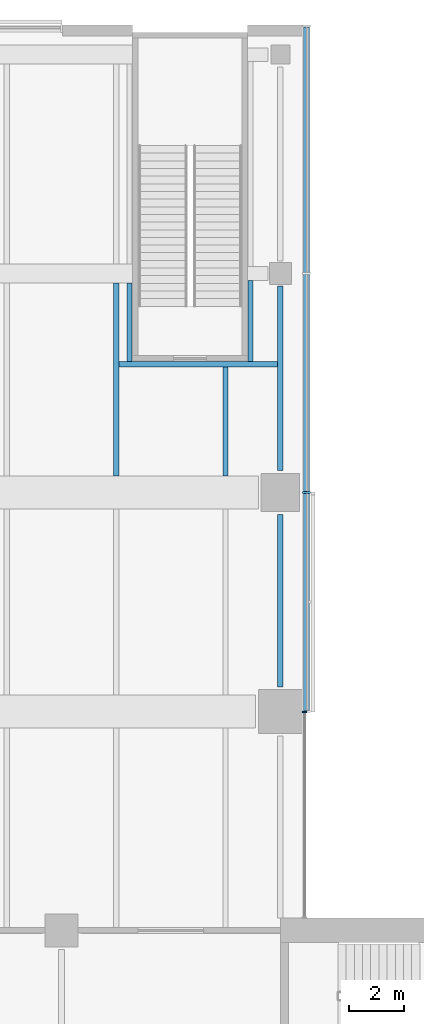
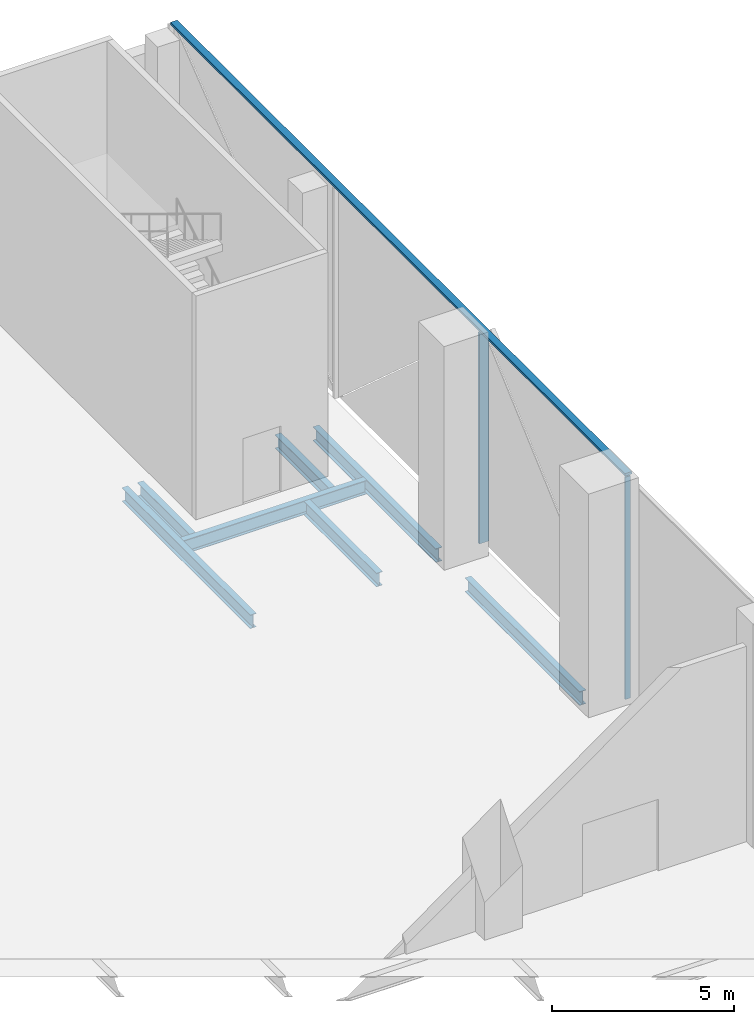
# One storey, part 10 of 25: 7 beams, 3 members, 2 elements without a shape of their own.
"""IFC4 building model written with IfcOpenShell, lengths in metres."""

from ifc_helpers import new_model, si_unit, direction, frame, origin, origin_2d, place, context, subcontext, project, spatial, rectangle, i_section, extrude, material, material_profile, profile_set, type_object, element, aggregate, save


model = new_model("IFC4")

# Units and contexts
model_context = context("Model", 3, precision=1e-05, world=origin(), true_north=direction((0.0, 1.0)))
body_context = subcontext(model_context, "Body", "Model", "MODEL_VIEW")
ifc_project = project(units=[si_unit("LENGTHUNIT", "METRE"), si_unit("AREAUNIT", "SQUARE_METRE"), si_unit("VOLUMEUNIT", "CUBIC_METRE"), si_unit("PLANEANGLEUNIT", "RADIAN"), si_unit("MASSUNIT", "GRAM", prefix="KILO")], contexts=[model_context])

# Site, building, storey
site_placement = place(None, origin())
site = spatial("IfcSite", under=ifc_project, at=site_placement, CompositionType="ELEMENT")
building_placement = place(site_placement, origin())
building = spatial("IfcBuilding", under=site, at=building_placement, Name="Crosswind Convention Tower", CompositionType="ELEMENT")
storey_placement = place(building_placement, frame((0.0, 0.0, 10.0)))
storey = spatial("IfcBuildingStorey", under=building, at=storey_placement, Name="L01", CompositionType="ELEMENT", Elevation=10.0)

# Beams
ifc_material_1 = material(Name="Steel S355", Category="steel")
ifc_material_profile_1 = material_profile(ifc_material_1, i_section(OverallWidth=0.19287109375, OverallDepth=0.467529296875, WebThickness=0.011474609375, FlangeThickness=0.01953125, FilletRadius=0.01025390625, at=origin_2d()), Name="UB 457x191x98")
ifc_profile_set_1 = profile_set([ifc_material_profile_1], Name="Steel S355")
beam_type_1 = type_object("IfcBeamType", Name="Edge beam UB 457x191x98", PredefinedType="SPANDREL", material=ifc_profile_set_1)
beam_1_placement = place(storey_placement, frame((137.0, 120.89990234375, -0.6337890625), z_axis=(0.0, 1.0, 0.0), x_axis=(-1.0, 0.0, 0.0)))
element("IfcBeam", 1, at=beam_1_placement, inside=storey, type_object=beam_type_1, Name="B20 L01 edge beam 18", PredefinedType="SPANDREL", context=body_context, shape_type="SweptSolid", body=[
    extrude(i_section(OverallWidth=0.19287109375, OverallDepth=0.467529296875, WebThickness=0.011474609375, FlangeThickness=0.01953125, FilletRadius=0.01025390625, at=origin_2d()), origin(), (0.0, 0.0, 1.0), 6.300048828125),
])
beam_2_placement = place(storey_placement, frame((137.0, 128.800048828125, -0.6337890625), z_axis=(0.0, 1.0, 0.0), x_axis=(-1.0, 0.0, 0.0)))
element("IfcBeam", 2, at=beam_2_placement, inside=storey, type_object=beam_type_1, Name="B20 L01 edge beam 19", PredefinedType="SPANDREL", context=body_context, shape_type="SweptSolid", body=[
    extrude(i_section(OverallWidth=0.19287109375, OverallDepth=0.467529296875, WebThickness=0.011474609375, FlangeThickness=0.01953125, FilletRadius=0.01025390625, at=origin_2d()), origin(), (0.0, 0.0, 1.0), 6.75),
])

# Curtain wall, member
ifc_material_2 = material(Name="Aluminium unitised curtain wall", Category="aluminium")
curtain_wall_type_1 = type_object("IfcCurtainWallType", Name="CORE END SLOT WALL 160", PredefinedType="USERDEFINED", material=ifc_material_2)
curtain_wall_1_placement = place(storey_placement, origin())
curtain_wall_1 = element("IfcCurtainWall", 3, at=curtain_wall_1_placement, inside=storey, type_object=curtain_wall_type_1, Name="CW6 L01 N-E.1-1 slot", ObjectType="UNITISED", PredefinedType="USERDEFINED")
ifc_material_3 = material(Name="Aluminium mullion", Category="aluminium")
ifc_material_profile_2 = material_profile(ifc_material_3, rectangle(XDim=0.159912109375, YDim=0.050048828125, at=origin_2d()), Name="AL 160X50")
ifc_profile_set_2 = profile_set([ifc_material_profile_2], Name="Aluminium mullion")
member_type_1 = type_object("IfcMemberType", Name="MULLION 50X160", PredefinedType="MULLION", material=ifc_profile_set_2)
member_1_placement = place(storey_placement, frame((137.8798828125, 119.97509765625, -0.39990234375), z_axis=(0.0, 0.0, 1.0), x_axis=(1.0, 0.0, 0.0)))
member_1 = element("IfcMember", 4, at=member_1_placement, type_object=member_type_1, Name="CW6 mullion 2", PredefinedType="MULLION", context=body_context, shape_type="SweptSolid", body=[
    extrude(rectangle(XDim=0.159912109375, YDim=0.050048828125, at=origin_2d()), origin(), (0.0, 0.0, 1.0), 7.449951171875),
])
aggregate(curtain_wall_1, [member_1])

curtain_wall_type_2 = type_object("IfcCurtainWallType", Name="PODIUM UNITISED WALL 300", PredefinedType="USERDEFINED", material=ifc_material_2)
curtain_wall_2_placement = place(storey_placement, origin())
curtain_wall_2 = element("IfcCurtainWall", 5, at=curtain_wall_2_placement, inside=storey, type_object=curtain_wall_type_2, Name="CW1 L01 N-E 1", ObjectType="UNITISED", PredefinedType="USERDEFINED")
ifc_material_profile_3 = material_profile(ifc_material_3, rectangle(XDim=0.300048828125, YDim=0.080078125, at=origin_2d()), Name="AL 300X80")
ifc_profile_set_3 = profile_set([ifc_material_profile_3], Name="Aluminium mullion")
member_type_2 = type_object("IfcMemberType", Name="MULLION 80X300", PredefinedType="MULLION", material=ifc_profile_set_3)
member_2_placement = place(storey_placement, frame((137.949951171875, 128.0, -0.044921875), z_axis=(0.0, 0.0, 1.0), x_axis=(1.0, 0.0, 0.0)))
member_2 = element("IfcMember", 6, at=member_2_placement, type_object=member_type_2, Name="CW1 mullion 2", PredefinedType="MULLION", context=body_context, shape_type="SweptSolid", body=[
    extrude(rectangle(XDim=0.300048828125, YDim=0.080078125, at=origin_2d()), origin(), (0.0, 0.0, 1.0), 7.06494140625),
])

# Beams
ifc_material_profile_4 = material_profile(ifc_material_1, i_section(OverallWidth=0.19140625, OverallDepth=0.460205078125, WebThickness=0.010009765625, FlangeThickness=0.01611328125, FilletRadius=0.01025390625, at=origin_2d()), Name="UB 457x191x82")
ifc_profile_set_4 = profile_set([ifc_material_profile_4], Name="Steel S355")
beam_type_2 = type_object("IfcBeamType", Name="Secondary beam UB 457x191x82", PredefinedType="JOIST", material=ifc_profile_set_4)
beam_3_placement = place(storey_placement, frame((131.0, 128.60009765625, -0.630126953125), z_axis=(0.0, 1.0, 0.0), x_axis=(-1.0, 0.0, 0.0)))
element("IfcBeam", 7, at=beam_3_placement, inside=storey, type_object=beam_type_2, Name="B13 L01 secondary beam 56", PredefinedType="JOIST", context=body_context, shape_type="SweptSolid", body=[
    extrude(i_section(OverallWidth=0.19140625, OverallDepth=0.460205078125, WebThickness=0.010009765625, FlangeThickness=0.01611328125, FilletRadius=0.01025390625, at=origin_2d()), origin(), (0.0, 0.0, 1.0), 7.0498046875),
])
beam_4_placement = place(storey_placement, frame((135.0, 128.60009765625, -0.630126953125), z_axis=(0.0, 1.0, 0.0), x_axis=(-1.0, 0.0, 0.0)))
element("IfcBeam", 8, at=beam_4_placement, inside=storey, type_object=beam_type_2, Name="B13 L01 secondary beam 63", PredefinedType="JOIST", context=body_context, shape_type="SweptSolid", body=[
    extrude(i_section(OverallWidth=0.19140625, OverallDepth=0.460205078125, WebThickness=0.010009765625, FlangeThickness=0.01611328125, FilletRadius=0.01025390625, at=origin_2d()), origin(), (0.0, 0.0, 1.0), 3.993896484375),
])

# Member
ifc_material_4 = material(Name="Aluminium transom", Category="aluminium")
ifc_material_profile_5 = material_profile(ifc_material_4, rectangle(XDim=0.219970703125, YDim=0.080078125, at=origin_2d()), Name="AL 220X80")
ifc_profile_set_5 = profile_set([ifc_material_profile_5], Name="Aluminium transom")
member_type_3 = type_object("IfcMemberType", Name="TRANSOM 80X220", PredefinedType="USERDEFINED", material=ifc_profile_set_5)
member_3_placement = place(storey_placement, frame((137.949951171875, 120.0400390625, 7.06005859375), z_axis=(0.0, 1.0, 0.0), x_axis=(-1.0, 0.0, 0.0)))
member_3 = element("IfcMember", 9, at=member_3_placement, type_object=member_type_3, Name="CW1 transom", ObjectType="TRANSOM", PredefinedType="USERDEFINED", context=body_context, shape_type="SweptSolid", body=[
    extrude(rectangle(XDim=0.219970703125, YDim=0.080078125, at=origin_2d()), origin(), (0.0, 0.0, 1.0), 24.96484375),
])

aggregate(curtain_wall_2, [member_2, member_3])

# Beams
ifc_material_profile_6 = material_profile(ifc_material_1, i_section(OverallWidth=0.19189453125, OverallDepth=0.463623046875, WebThickness=0.010498046875, FlangeThickness=0.017578125, FilletRadius=0.01025390625, at=origin_2d()), Name="UB 457x191x90")
ifc_profile_set_6 = profile_set([ifc_material_profile_6], Name="Steel S355")
beam_type_3 = type_object("IfcBeamType", Name="Trimmer beam UB 457x191x90", PredefinedType="BEAM", material=ifc_profile_set_6)
beam_5_placement = place(storey_placement, frame((131.095703125, 132.68994140625, -0.6318359375), z_axis=(1.0, 0.0, 0.0), x_axis=(0.0, 1.0, 0.0)))
element("IfcBeam", 10, at=beam_5_placement, inside=storey, type_object=beam_type_3, Name="B33 L01 trimmer beam 22", PredefinedType="BEAM", context=body_context, shape_type="SweptSolid", body=[
    extrude(i_section(OverallWidth=0.19189453125, OverallDepth=0.463623046875, WebThickness=0.010498046875, FlangeThickness=0.017578125, FilletRadius=0.01025390625, at=origin_2d()), origin(), (0.0, 0.0, 1.0), 5.807861328125),
])
beam_6_placement = place(storey_placement, frame((131.489990234375, 132.785888671875, -0.6318359375), z_axis=(0.0, 1.0, 0.0), x_axis=(-1.0, 0.0, 0.0)))
element("IfcBeam", 11, at=beam_6_placement, inside=storey, type_object=beam_type_3, Name="B33 L01 trimmer beam 25", PredefinedType="BEAM", context=body_context, shape_type="SweptSolid", body=[
    extrude(i_section(OverallWidth=0.19189453125, OverallDepth=0.463623046875, WebThickness=0.010498046875, FlangeThickness=0.017578125, FilletRadius=0.01025390625, at=origin_2d()), origin(), (0.0, 0.0, 1.0), 2.864013671875),
])
beam_7_placement = place(storey_placement, frame((135.909912109375, 132.785888671875, -0.6318359375), z_axis=(0.0, 1.0, 0.0), x_axis=(-1.0, 0.0, 0.0)))
element("IfcBeam", 12, at=beam_7_placement, inside=storey, type_object=beam_type_3, Name="B33 L01 trimmer beam 29", PredefinedType="BEAM", context=body_context, shape_type="SweptSolid", body=[
    extrude(i_section(OverallWidth=0.19189453125, OverallDepth=0.463623046875, WebThickness=0.010498046875, FlangeThickness=0.017578125, FilletRadius=0.01025390625, at=origin_2d()), origin(), (0.0, 0.0, 1.0), 2.964111328125),
])

save(model, "model.ifc")
